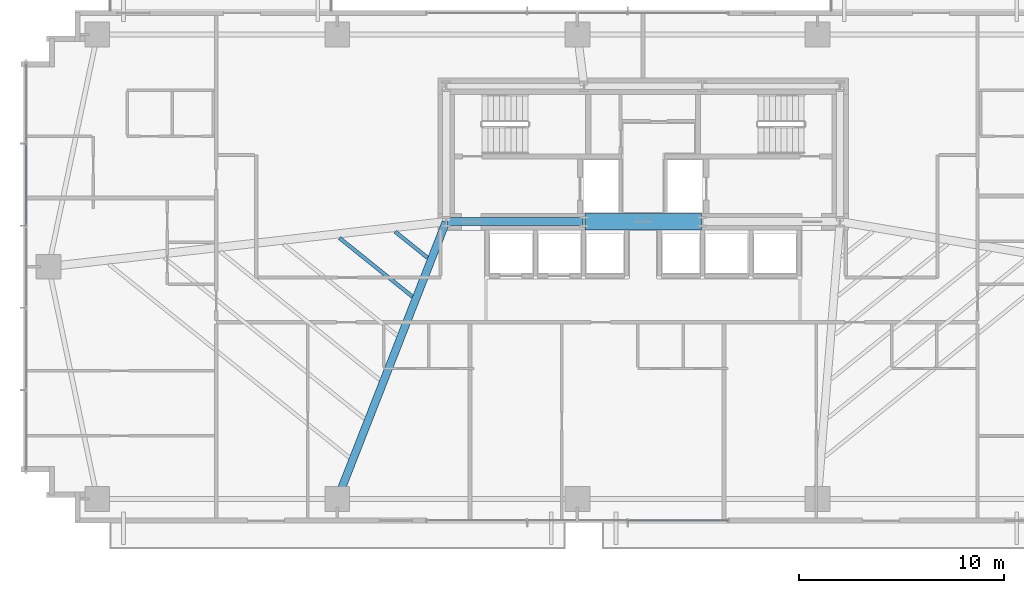
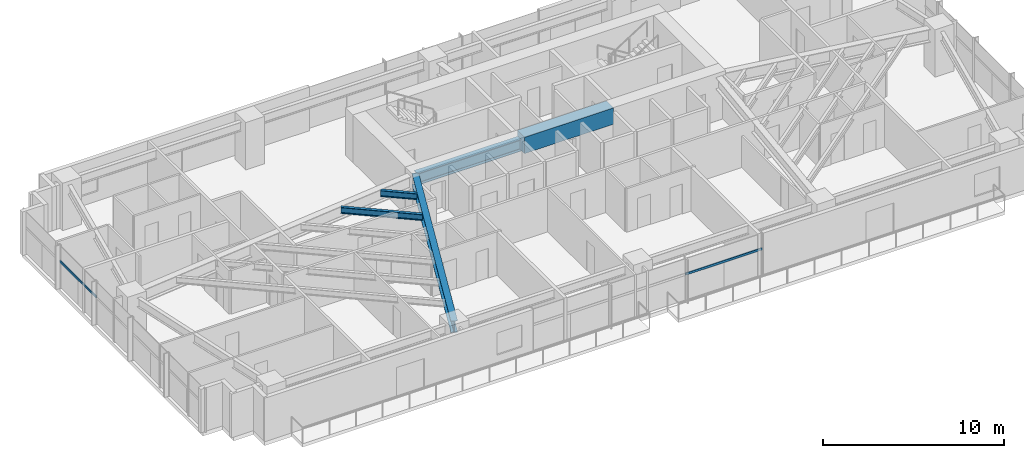
# One storey, part 7 of 25: 5 beams, 2 members, 2 elements without a shape of their own.
"""IFC4 building model written with IfcOpenShell, lengths in metres."""

from ifc_helpers import new_model, si_unit, direction, frame, origin, origin_2d, place, context, subcontext, project, spatial, rectangle, hollow_rectangle, i_section, extrude, source, transform, mapped, material, material_profile, profile_set, type_object, type_shapes, element, aggregate, save


model = new_model("IFC4")

# Units and contexts
model_context = context("Model", 3, precision=1e-05, world=origin(), true_north=direction((0.0, 1.0)))
body_context = subcontext(model_context, "Body", "Model", "MODEL_VIEW")
ifc_project = project(units=[si_unit("LENGTHUNIT", "METRE"), si_unit("AREAUNIT", "SQUARE_METRE"), si_unit("VOLUMEUNIT", "CUBIC_METRE"), si_unit("PLANEANGLEUNIT", "RADIAN"), si_unit("MASSUNIT", "GRAM", prefix="KILO")], contexts=[model_context])

# Site, building, storey
site_placement = place(None, origin())
site = spatial("IfcSite", under=ifc_project, at=site_placement, CompositionType="ELEMENT")
building_placement = place(site_placement, origin())
building = spatial("IfcBuilding", under=site, at=building_placement, Name="Astriad Promenade Condominiums", CompositionType="ELEMENT")
storey_placement = place(building_placement, frame((0.0, 0.0, 61.39990234375)))
storey = spatial("IfcBuildingStorey", under=building, at=storey_placement, Name="L17", CompositionType="ELEMENT", Elevation=61.39990234375)

# Beams
ifc_material_1 = material(Name="Steel ASTM A992 Grade 50", Category="steel")
ifc_material_profile_1 = material_profile(ifc_material_1, i_section(OverallWidth=0.3837890625, OverallDepth=0.785888671875, WebThickness=0.019775390625, FlangeThickness=0.033447265625, FilletRadius=0.021484375, at=origin_2d()), Name="W30X211")
ifc_profile_set_1 = profile_set([ifc_material_profile_1], Name="Steel ASTM A992 Grade 50")
beam_type_1 = type_object("IfcBeamType", Name="STEEL FLOOR GIRDER W30X211", PredefinedType="BEAM", material=ifc_profile_set_1)
shared_shape_1 = source(origin(), body_context, "Body", "SweptSolid", [
    extrude(i_section(OverallWidth=0.3837890625, OverallDepth=0.785888671875, WebThickness=0.019775390625, FlangeThickness=0.033447265625, FilletRadius=0.021484375, at=origin_2d()), origin(), (0.0, 0.0, 1.0), 6.64013671875),
])
beam_1_placement = place(storey_placement, frame((26.43994140625, 17.39990234375, 2.547119140625), z_axis=(1.0, 0.0, 0.0), x_axis=(0.0, 1.0, 0.0)))
element("IfcBeam", 1, at=beam_1_placement, inside=storey, type_object=beam_type_1, Name="Core Ring Beam CG-S1-L17", PredefinedType="BEAM", context=body_context, shape_type="MappedRepresentation", body=[
    mapped(shared_shape_1, transform((0.0, 0.0, 0.0), scale=1.0)),
])
ifc_material_2 = material(Name="Concrete C80/95", Category="concrete")
ifc_material_profile_2 = material_profile(ifc_material_2, rectangle(XDim=0.800048828125, YDim=1.10009765625, at=origin_2d()), Name="RC-BM-800X1100")
ifc_profile_set_2 = profile_set([ifc_material_profile_2], Name="Concrete C80/95")
beam_type_2 = type_object("IfcBeamType", Name="CONCRETE CORE COUPLING LINTEL 800X1100", PredefinedType="LINTEL", material=ifc_profile_set_2)
shared_shape_2 = source(origin(), body_context, "Body", "SweptSolid", [
    extrude(rectangle(XDim=0.800048828125, YDim=1.10009765625, at=origin_2d()), origin(), (0.0, 0.0, 1.0), 5.68017578125),
])
type_shapes(beam_type_2, [shared_shape_2])
beam_2_placement = place(storey_placement, frame((33.159912109375, 17.39990234375, 2.630126953125), z_axis=(1.0, 0.0, 0.0), x_axis=(0.0, 1.0, 0.0)))
element("IfcBeam", 2, at=beam_2_placement, inside=storey, type_object=beam_type_2, Name="Core Ring Beam CG-S2-L17", PredefinedType="LINTEL", context=body_context, shape_type="MappedRepresentation", body=[
    mapped(shared_shape_2, transform((0.0, 0.0, 0.0), scale=1.0)),
])
shared_shape_3 = source(origin(), body_context, "Body", "SweptSolid", [
    extrude(i_section(OverallWidth=0.3837890625, OverallDepth=0.785888671875, WebThickness=0.019775390625, FlangeThickness=0.033447265625, FilletRadius=0.021484375, at=origin_2d()), origin(), (0.0, 0.0, 1.0), 14.44189453125),
])
type_shapes(beam_type_1, [shared_shape_1, shared_shape_3])
beam_3_placement = place(storey_placement, frame((21.114501953125, 3.917236328125, 2.547119140625), z_axis=(0.364981228757, 0.931014877784, 0.0), x_axis=(-0.931014877784, 0.364981228757, 0.0)))
element("IfcBeam", 3, at=beam_3_placement, inside=storey, type_object=beam_type_1, Name="Primary Floor Girder PG-W2-L17", PredefinedType="BEAM", context=body_context, shape_type="MappedRepresentation", body=[
    mapped(shared_shape_3, transform((0.0, 0.0, 0.0), scale=1.0)),
])
ifc_material_profile_3 = material_profile(ifc_material_1, i_section(OverallWidth=0.180908203125, OverallDepth=0.417236328125, WebThickness=0.010986328125, FlangeThickness=0.018310546875, FilletRadius=0.013916015625, at=origin_2d()), Name="W16X57")
ifc_profile_set_3 = profile_set([ifc_material_profile_3], Name="Steel ASTM A992 Grade 50")
beam_type_3 = type_object("IfcBeamType", Name="STEEL FLOOR JOIST W16X57", PredefinedType="JOIST", material=ifc_profile_set_3)
shared_shape_4 = source(origin(), body_context, "Body", "SweptSolid", [
    extrude(i_section(OverallWidth=0.180908203125, OverallDepth=0.417236328125, WebThickness=0.010986328125, FlangeThickness=0.018310546875, FilletRadius=0.013916015625, at=origin_2d()), origin(), (0.0, 0.0, 1.0), 4.555419921875),
])
beam_4_placement = place(storey_placement, frame((21.201416015625, 16.600830078125, 2.7314453125), z_axis=(0.779365920634, -0.626569039894, 0.0), x_axis=(0.626569039894, 0.779365920634, 0.0)))
element("IfcBeam", 4, at=beam_4_placement, inside=storey, type_object=beam_type_3, Name="Secondary Composite Floor Joist JW1-5-L17", PredefinedType="JOIST", context=body_context, shape_type="MappedRepresentation", body=[
    mapped(shared_shape_4, transform((0.0, 0.0, 0.0), scale=1.0)),
])
shared_shape_5 = source(origin(), body_context, "Body", "SweptSolid", [
    extrude(i_section(OverallWidth=0.180908203125, OverallDepth=0.417236328125, WebThickness=0.010986328125, FlangeThickness=0.018310546875, FilletRadius=0.013916015625, at=origin_2d()), origin(), (0.0, 0.0, 1.0), 2.02587890625),
])
type_shapes(beam_type_3, [shared_shape_4, shared_shape_5])
beam_5_placement = place(storey_placement, frame((23.914794921875, 16.90869140625, 2.7314453125), z_axis=(0.779373362939, -0.626559782576, 0.0), x_axis=(0.626559782576, 0.779373362939, 0.0)))
element("IfcBeam", 5, at=beam_5_placement, inside=storey, type_object=beam_type_3, Name="Secondary Composite Floor Joist JW1-6-L17", PredefinedType="JOIST", context=body_context, shape_type="MappedRepresentation", body=[
    mapped(shared_shape_5, transform((0.0, 0.0, 0.0), scale=1.0)),
])

# Curtain wall, member
ifc_material_3 = material(Name="Anodised aluminium Black Dark Glass Unitised", Category="aluminium")
curtain_wall_type = type_object("IfcCurtainWallType", Name="CW-B1-DARK", PredefinedType="USERDEFINED", material=ifc_material_3)
curtain_wall_1_placement = place(storey_placement, origin())
curtain_wall_1 = element("IfcCurtainWall", 6, at=curtain_wall_1_placement, inside=storey, type_object=curtain_wall_type, Name="CW-L17-W", ObjectType="UNITISED_CURTAIN_WALL", PredefinedType="USERDEFINED")
ifc_material_4 = material(Name="Anodised aluminium 6063-T6 Black", Category="aluminium")
ifc_material_profile_4 = material_profile(ifc_material_4, hollow_rectangle(XDim=0.074951171875, YDim=0.14990234375, WallThickness=0.004150390625, at=origin_2d()), Name="ALU-TRN-75X150")
ifc_profile_set_4 = profile_set([ifc_material_profile_4], Name="Anodised aluminium 6063-T6 Black")
member_type = type_object("IfcMemberType", Name="TRN-ALU-TRN-75X150", PredefinedType="USERDEFINED", material=ifc_profile_set_4)
shared_shape_6 = source(origin(), body_context, "Body", "SweptSolid", [
    extrude(hollow_rectangle(XDim=0.074951171875, YDim=0.14990234375, WallThickness=0.004150390625, at=origin_2d()), origin(), (0.0, 0.0, 1.0), 4.0),
])
member_1_placement = place(storey_placement, frame((5.929931640625, 17.199951171875, 1.822998046875), z_axis=(0.0, 1.0, 0.0), x_axis=(-1.0, 0.0, 0.0)))
member_1 = element("IfcMember", 7, at=member_1_placement, type_object=member_type, Name="CW-L17-W-TRN-03-0", ObjectType="TRANSOM", PredefinedType="USERDEFINED", context=body_context, shape_type="MappedRepresentation", body=[
    mapped(shared_shape_6, transform((0.0, 0.0, 0.0), scale=1.0)),
])
aggregate(curtain_wall_1, [member_1])

curtain_wall_2_placement = place(storey_placement, origin())
curtain_wall_2 = element("IfcCurtainWall", 8, at=curtain_wall_2_placement, inside=storey, type_object=curtain_wall_type, Name="CW-L17-S", ObjectType="UNITISED_CURTAIN_WALL", PredefinedType="USERDEFINED")
shared_shape_7 = source(origin(), body_context, "Body", "SweptSolid", [
    extrude(hollow_rectangle(XDim=0.074951171875, YDim=0.14990234375, WallThickness=0.004150390625, at=origin_2d()), origin(), (0.0, 0.0, 1.0), 4.89990234375),
])
type_shapes(member_type, [shared_shape_6, shared_shape_7])
member_2_placement = place(storey_placement, frame((40.14990234375, 2.830078125, 1.822998046875), z_axis=(-1.0, 0.0, 0.0), x_axis=(0.0, -1.0, 0.0)))
member_2 = element("IfcMember", 9, at=member_2_placement, type_object=member_type, Name="CW-L17-S-TRN-00-0", ObjectType="TRANSOM", PredefinedType="USERDEFINED", context=body_context, shape_type="MappedRepresentation", body=[
    mapped(shared_shape_7, transform((0.0, 0.0, 0.0), scale=1.0)),
])
aggregate(curtain_wall_2, [member_2])

save(model, "model.ifc")
